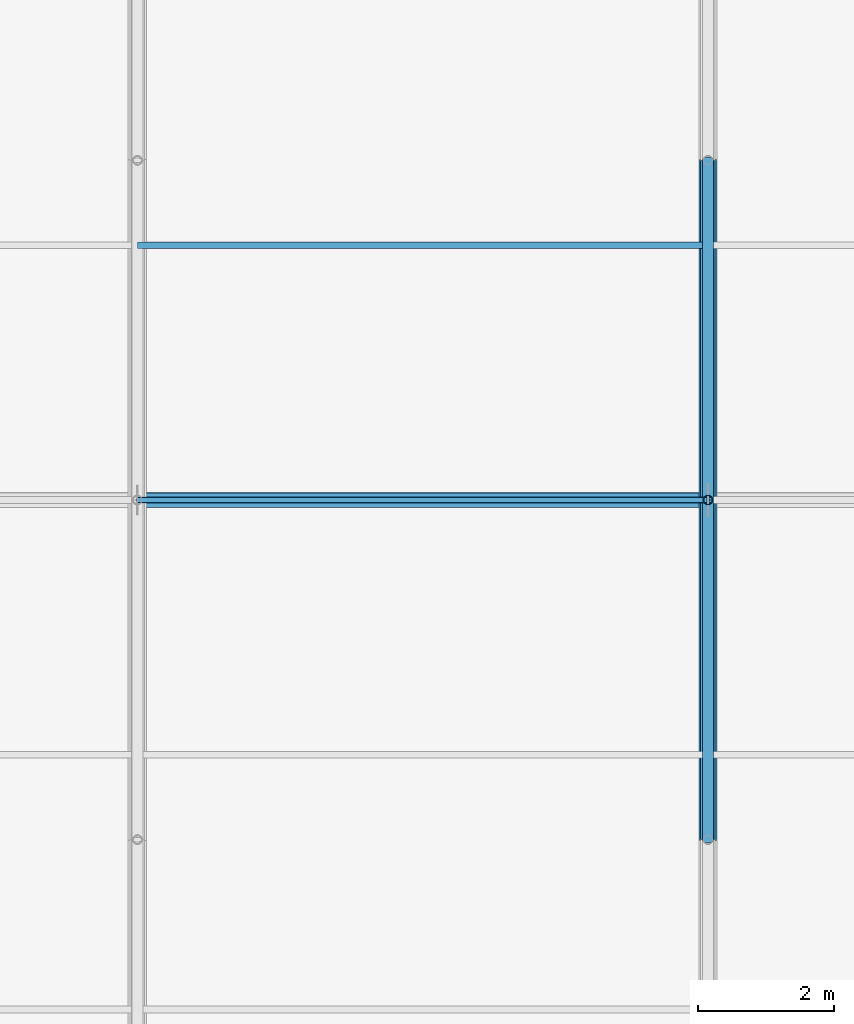
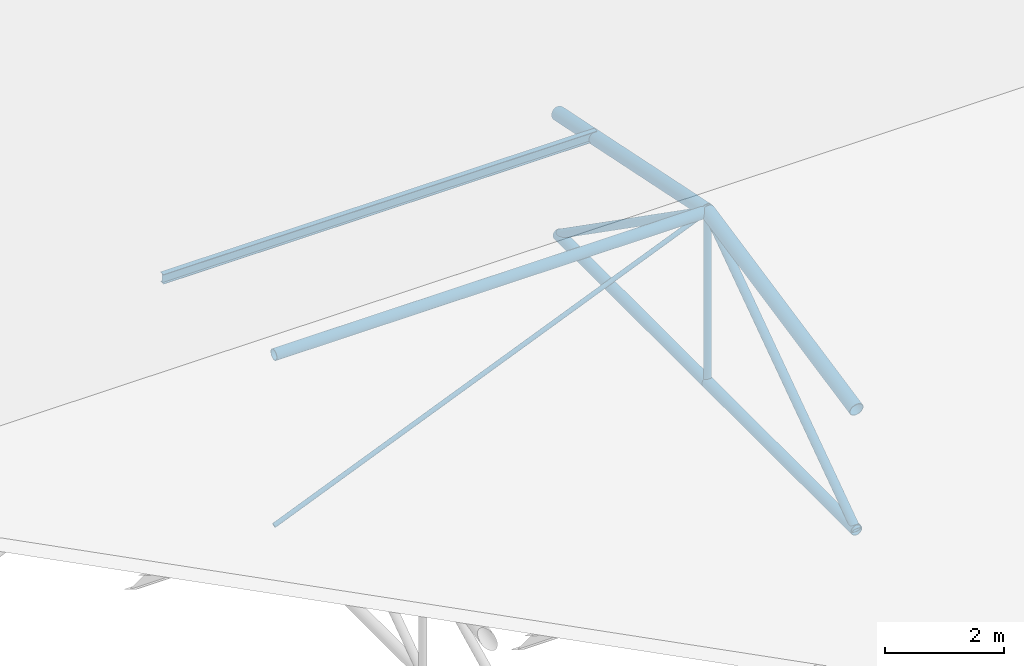
# One storey, part 47 of 194: 9 members, 1 beam.
"""IFC4 building model written with IfcOpenShell, lengths in metres."""

from ifc_helpers import new_model, si_unit, direction, frame, origin, origin_2d, place, context, subcontext, project, spatial, hollow_circle, i_section, extrude, material, material_profile, profile_set, type_object, element, save


model = new_model("IFC4")

# Units and contexts
model_context = context("Model", 3, precision=1e-05, world=origin(), true_north=direction((0.0, 1.0)))
body_context = subcontext(model_context, "Body", "Model", "MODEL_VIEW")
ifc_project = project(units=[si_unit("LENGTHUNIT", "METRE"), si_unit("AREAUNIT", "SQUARE_METRE"), si_unit("VOLUMEUNIT", "CUBIC_METRE"), si_unit("PLANEANGLEUNIT", "RADIAN"), si_unit("MASSUNIT", "GRAM", prefix="KILO")], contexts=[model_context])

# Site, building, storey
site_placement = place(None, origin())
site = spatial("IfcSite", under=ifc_project, at=site_placement, CompositionType="ELEMENT")
building_placement = place(site_placement, origin())
building = spatial("IfcBuilding", under=site, at=building_placement, Name="Kazenagashi Tramway Depot", CompositionType="ELEMENT")
storey_placement = place(building_placement, frame((0.0, 0.0, 23.7)))
storey = spatial("IfcBuildingStorey", under=building, at=storey_placement, Name="ROOF", CompositionType="ELEMENT", Elevation=23.7)

# Beam
ifc_material_1 = material(Name="Steel SN400B", Category="steel")
ifc_material_profile_1 = material_profile(ifc_material_1, i_section(OverallWidth=0.1, OverallDepth=0.2, WebThickness=0.0055, FlangeThickness=0.008, at=origin_2d()), Name="H-200x100x5.5x8")
ifc_profile_set_1 = profile_set([ifc_material_profile_1], Name="Steel SN400B")
beam_type = type_object("IfcBeamType", Name="PR-01", PredefinedType="USERDEFINED", material=ifc_profile_set_1)
beam_placement = place(storey_placement, frame((78.4, 118.75, -11.305), z_axis=(1.0, 0.0, 0.0), x_axis=(0.0, 1.0, 0.0)))
element("IfcBeam", 1, at=beam_placement, inside=storey, type_object=beam_type, Name="Beam PR-01 BM-2184", ObjectType="PURLIN", PredefinedType="USERDEFINED", context=body_context, shape_type="SweptSolid", body=[
    extrude(i_section(OverallWidth=0.1, OverallDepth=0.2, WebThickness=0.0055, FlangeThickness=0.008, at=origin_2d()), origin(), (0.0, 0.0, 1.0), 8.4),
])

# Members
ifc_material_2 = material(Name="Steel STK490", Category="steel")
ifc_material_profile_2 = material_profile(ifc_material_2, hollow_circle(Radius=0.1337, WallThickness=0.0093, at=origin_2d()), Name="CHS-267.4x9.3")
ifc_profile_set_2 = profile_set([ifc_material_profile_2], Name="Steel STK490")
member_type_1 = type_object("IfcMemberType", Name="TC-01", PredefinedType="CHORD", material=ifc_profile_set_2)
for number, where, z_axis, x_axis, name in (
    (2, (86.8, 110.0, -11.633), (0.0, 0.979317999984, 0.202327098797), (-1.0, 0.0, 0.0), "Tubular Space Frame TC-01 MEM-0343"),
    (3, (86.8, 115.0, -10.6), (0.0, 0.979317999984, -0.202327098797), (-1.0, 0.0, 0.0), "Tubular Space Frame TC-01 MEM-0346"),
):
    element("IfcMember", number, at=place(storey_placement, frame(where, z_axis=z_axis, x_axis=x_axis)), inside=storey, type_object=member_type_1, Name=name, PredefinedType="CHORD", context=body_context, shape_type="SweptSolid", body=[
        extrude(hollow_circle(Radius=0.1337, WallThickness=0.0093, at=origin_2d()), origin(), (0.0, 0.0, 1.0), 5.105594),
    ])
ifc_material_profile_3 = material_profile(ifc_material_2, hollow_circle(Radius=0.10815, WallThickness=0.0082, at=origin_2d()), Name="CHS-216.3x8.2")
ifc_profile_set_3 = profile_set([ifc_material_profile_3], Name="Steel STK490")
member_type_2 = type_object("IfcMemberType", Name="TC-02", PredefinedType="CHORD", material=ifc_profile_set_3)
member_1_placement = place(storey_placement, frame((78.4, 115.0, -10.6), z_axis=(1.0, 0.0, 0.0), x_axis=(0.0, 1.0, 0.0)))
element("IfcMember", 4, at=member_1_placement, inside=storey, type_object=member_type_2, Name="Tubular Space Frame TC-02 MEM-0302", PredefinedType="CHORD", context=body_context, shape_type="SweptSolid", body=[
    extrude(hollow_circle(Radius=0.10815, WallThickness=0.0082, at=origin_2d()), origin(), (0.0, 0.0, 1.0), 8.4),
])
for number, where, z_axis, x_axis, name in (
    (5, (86.8, 110.0, -14.1), (0.0, 1.0, 0.0), (-1.0, 0.0, 0.0), "Tubular Space Frame TC-02 MEM-0344"),
    (6, (86.8, 115.0, -14.1), (0.0, 1.0, 0.0), (-1.0, 0.0, 0.0), "Tubular Space Frame TC-02 MEM-0347"),
):
    element("IfcMember", number, at=place(storey_placement, frame(where, z_axis=z_axis, x_axis=x_axis)), inside=storey, type_object=member_type_2, Name=name, PredefinedType="CHORD", context=body_context, shape_type="SweptSolid", body=[
        extrude(hollow_circle(Radius=0.10815, WallThickness=0.0082, at=origin_2d()), origin(), (0.0, 0.0, 1.0), 5.0),
    ])
ifc_material_profile_4 = material_profile(ifc_material_2, hollow_circle(Radius=0.0826, WallThickness=0.0071, at=origin_2d()), Name="CHS-165.2x7.1")
ifc_profile_set_4 = profile_set([ifc_material_profile_4], Name="Steel STK490")
member_type_3 = type_object("IfcMemberType", Name="TS-01", PredefinedType="STRUT", material=ifc_profile_set_4)
for number, where, z_axis, x_axis, name in (
    (7, (86.8, 110.0, -14.1), (0.0, 0.819231920519, 0.573462344363), (-1.0, 0.0, 0.0), "Tubular Space Frame TS-01 MEM-0345"),
    (8, (86.8, 115.0, -10.6), (0.0, 0.819231920519, -0.573462344363), (-1.0, 0.0, 0.0), "Tubular Space Frame TS-01 MEM-0348"),
):
    element("IfcMember", number, at=place(storey_placement, frame(where, z_axis=z_axis, x_axis=x_axis)), inside=storey, type_object=member_type_3, Name=name, PredefinedType="STRUT", context=body_context, shape_type="SweptSolid", body=[
        extrude(hollow_circle(Radius=0.0826, WallThickness=0.0071, at=origin_2d()), origin(), (0.0, 0.0, 1.0), 6.103278),
    ])
ifc_material_profile_5 = material_profile(ifc_material_2, hollow_circle(Radius=0.0699, WallThickness=0.0066, at=origin_2d()), Name="CHS-139.8x6.6")
ifc_profile_set_5 = profile_set([ifc_material_profile_5], Name="Steel STK490")
member_type_4 = type_object("IfcMemberType", Name="TS-02", PredefinedType="STRUT", material=ifc_profile_set_5)
member_2_placement = place(storey_placement, frame((86.8, 115.0, -14.1), z_axis=(0.0, 0.0, 1.0), x_axis=(1.0, 0.0, 0.0)))
element("IfcMember", 9, at=member_2_placement, inside=storey, type_object=member_type_4, Name="Tubular Space Frame TS-02 MEM-0357", PredefinedType="STRUT", context=body_context, shape_type="SweptSolid", body=[
    extrude(hollow_circle(Radius=0.0699, WallThickness=0.0066, at=origin_2d()), origin(), (0.0, 0.0, 1.0), 3.5),
])
ifc_material_3 = material(Name="Steel STK400", Category="steel")
ifc_material_profile_6 = material_profile(ifc_material_3, hollow_circle(Radius=0.04455, WallThickness=0.0042, at=origin_2d()), Name="CHS-89.1x4.2")
ifc_profile_set_6 = profile_set([ifc_material_profile_6], Name="Steel STK400")
member_type_5 = type_object("IfcMemberType", Name="TS-04", PredefinedType="STRUT", material=ifc_profile_set_6)
member_3_placement = place(storey_placement, frame((78.4, 115.0, -14.1), z_axis=(0.923076923077, 0.0, 0.384615384615), x_axis=(0.0, 1.0, 0.0)))
element("IfcMember", 10, at=member_3_placement, inside=storey, type_object=member_type_5, Name="Tubular Space Frame TS-04 MEM-0303", PredefinedType="STRUT", context=body_context, shape_type="SweptSolid", body=[
    extrude(hollow_circle(Radius=0.04455, WallThickness=0.0042, at=origin_2d()), origin(), (0.0, 0.0, 1.0), 9.1),
])

save(model, "model.ifc")
